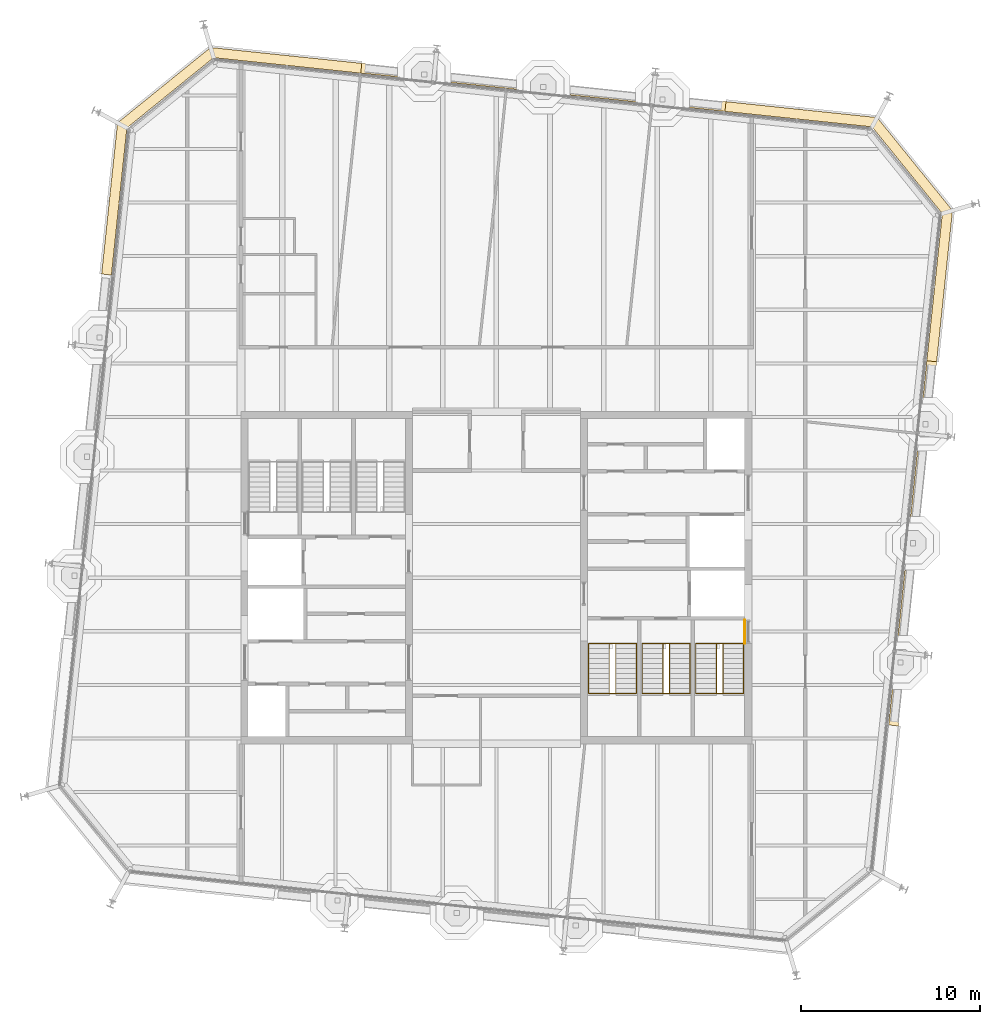
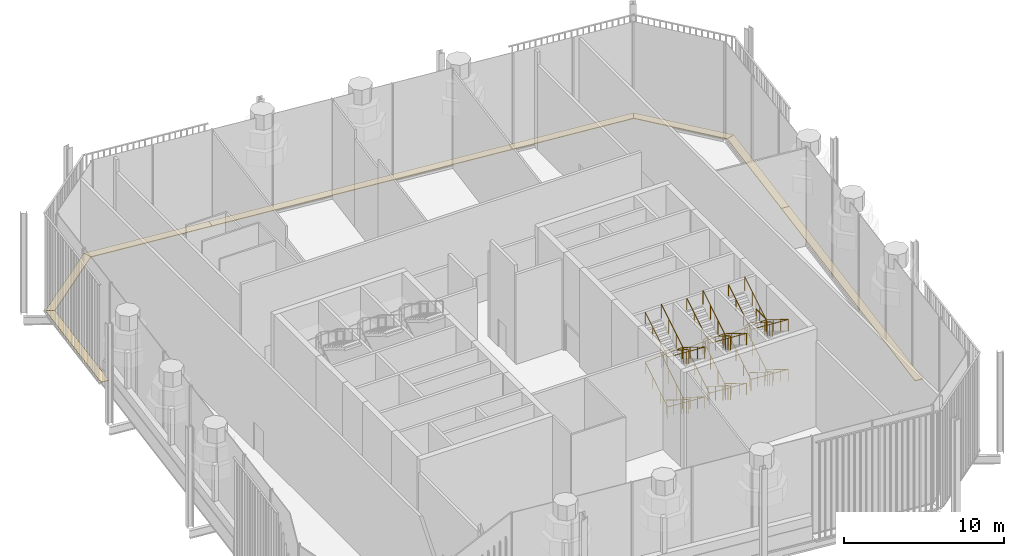
# One storey, part 16 of 17: 8 coverings, 7 railings.
"""IFC4 building model written with IfcOpenShell, lengths in metres."""

from ifc_helpers import new_model, si_unit, direction, frame, origin, origin_2d, place, context, subcontext, project, spatial, polyline, circle, outline, extrude, material, layer, layer_set, type_object, element, save


model = new_model("IFC4")

# Units and contexts
model_context = context("Model", 3, precision=1e-05, world=origin(), true_north=direction((0.0, 1.0)))
body_context = subcontext(model_context, "Body", "Model", "MODEL_VIEW")
ifc_project = project(units=[si_unit("LENGTHUNIT", "METRE"), si_unit("AREAUNIT", "SQUARE_METRE"), si_unit("VOLUMEUNIT", "CUBIC_METRE"), si_unit("PLANEANGLEUNIT", "RADIAN"), si_unit("MASSUNIT", "GRAM", prefix="KILO")], contexts=[model_context])

# Site, building, storey
site_placement = place(None, origin())
site = spatial("IfcSite", under=ifc_project, at=site_placement, CompositionType="ELEMENT")
building_placement = place(site_placement, origin())
building = spatial("IfcBuilding", under=site, at=building_placement, Name="Millrace Tower", CompositionType="ELEMENT")
storey_placement = place(building_placement, frame((0.0, 0.0, 311.10009765625)))
storey = spatial("IfcBuildingStorey", under=building, at=storey_placement, Name="L72", CompositionType="ELEMENT", Elevation=311.10009765625)

# Coverings
ifc_material_1 = material(Name="Steel ASTM A36", Category="steel")
ifc_layer = layer(ifc_material_1, 0.050048828125)
ifc_layer_set = layer_set([ifc_layer], Name="Steel ASTM A36")
covering_type = type_object("IfcCoveringType", Name="CAVITY CATWALK steel grating", PredefinedType="FLOORING", material=ifc_layer_set)
placement = place(storey_placement, frame((0.0, 0.0, 0.099853515625)))
element("IfcCovering", 1, at=placement, inside=storey, type_object=covering_type, Name="Cavity catwalk grating E-F04 L72 2", PredefinedType="FLOORING", context=body_context, shape_type="SweptSolid", body=[
    extrude(outline(polyline([(22.499755859375, -8.30029296875), (24.642578125, 12.08740234375), (24.095703125, 12.14501953125), (21.952880859375, -8.24267578125), (22.499755859375, -8.30029296875)])), origin(), (0.0, 0.0, 1.0), 0.050048828125),
])
element("IfcCovering", 2, at=placement, inside=storey, type_object=covering_type, Name="Cavity catwalk grating E-F04 L72 3", PredefinedType="FLOORING", context=body_context, shape_type="SweptSolid", body=[
    extrude(outline(polyline([(24.642578125, 12.08740234375), (25.5322265625, 20.551513671875), (24.96142578125, 20.38232421875), (24.095703125, 12.14501953125), (24.642578125, 12.08740234375)])), origin(), (0.0, 0.0, 1.0), 0.050048828125),
])
element("IfcCovering", 3, at=placement, inside=storey, type_object=covering_type, Name="Cavity catwalk grating E-F05 L72 1", PredefinedType="FLOORING", context=body_context, shape_type="SweptSolid", body=[
    extrude(outline(polyline([(25.5322265625, 20.551513671875), (21.314208984375, 25.76025390625), (21.0302734375, 25.237060546875), (24.96142578125, 20.38232421875), (25.5322265625, 20.551513671875)])), origin(), (0.0, 0.0, 1.0), 0.050048828125),
])
element("IfcCovering", 4, at=placement, inside=storey, type_object=covering_type, Name="Cavity catwalk grating E-F06 L72 1", PredefinedType="FLOORING", context=body_context, shape_type="SweptSolid", body=[
    extrude(outline(polyline([(21.314208984375, 25.76025390625), (12.850341796875, 26.64990234375), (12.792724609375, 26.102783203125), (21.0302734375, 25.237060546875), (21.314208984375, 25.76025390625)])), origin(), (0.0, 0.0, 1.0), 0.050048828125),
])
element("IfcCovering", 5, at=placement, inside=storey, type_object=covering_type, Name="Cavity catwalk grating E-F06 L72 2", PredefinedType="FLOORING", context=body_context, shape_type="SweptSolid", body=[
    extrude(outline(polyline([(12.850341796875, 26.64990234375), (-7.537353515625, 28.792724609375), (-7.594970703125, 28.24560546875), (12.792724609375, 26.102783203125), (12.850341796875, 26.64990234375)])), origin(), (0.0, 0.0, 1.0), 0.050048828125),
])
element("IfcCovering", 6, at=placement, inside=storey, type_object=covering_type, Name="Cavity catwalk grating E-F06 L72 3", PredefinedType="FLOORING", context=body_context, shape_type="SweptSolid", body=[
    extrude(outline(polyline([(-7.537353515625, 28.792724609375), (-16.00146484375, 29.682373046875), (-15.832275390625, 29.111572265625), (-7.594970703125, 28.24560546875), (-7.537353515625, 28.792724609375)])), origin(), (0.0, 0.0, 1.0), 0.050048828125),
])
element("IfcCovering", 7, at=placement, inside=storey, type_object=covering_type, Name="Cavity catwalk grating E-F07 L72 1", PredefinedType="FLOORING", context=body_context, shape_type="SweptSolid", body=[
    extrude(outline(polyline([(-16.00146484375, 29.682373046875), (-21.210205078125, 25.46435546875), (-20.68701171875, 25.18017578125), (-15.832275390625, 29.111572265625), (-16.00146484375, 29.682373046875)])), origin(), (0.0, 0.0, 1.0), 0.050048828125),
])
element("IfcCovering", 8, at=placement, inside=storey, type_object=covering_type, Name="Cavity catwalk grating E-F08 L72 1", PredefinedType="FLOORING", context=body_context, shape_type="SweptSolid", body=[
    extrude(outline(polyline([(-21.210205078125, 25.46435546875), (-22.099853515625, 17.000244140625), (-21.552978515625, 16.94287109375), (-20.68701171875, 25.18017578125), (-21.210205078125, 25.46435546875)])), origin(), (0.0, 0.0, 1.0), 0.050048828125),
])

# Railings
ifc_material_2 = material(Name="Stainless steel ASTM A240 type 316", Category="steel")
railing_type_1 = type_object("IfcRailingType", Name="Stair guard 1100", PredefinedType="GUARDRAIL", material=ifc_material_2)
railing_1_placement = place(storey_placement, frame((12.679931640625, -3.679931640625, 0.172607421875)))
element("IfcRailing", 9, at=railing_1_placement, inside=storey, type_object=railing_type_1, Name="Stair guard 1 E L72", PredefinedType="GUARDRAIL", context=body_context, shape_type="SweptSolid", body=[
    extrude(circle(Radius=0.02392578125, at=origin_2d()), frame((0.0, 0.0, 1.076171875), z_axis=(0.0, -0.851089632645, 0.525020415988), x_axis=(1.0, 0.0, 0.0)), (0.0, 0.0, 1.0), 3.2900390625),
    extrude(circle(Radius=0.02392578125, at=origin_2d()), frame((0.0, -2.800048828125, 2.80322265625), z_axis=(-0.901647110569, 0.0, 0.432472528611), x_axis=(0.0, -1.0, 0.0)), (0.0, 0.0, 1.0), 0.399169921875),
    extrude(circle(Radius=0.02392578125, at=origin_2d()), frame((-0.35986328125, -2.800048828125, 2.97607421875), z_axis=(0.0, 0.851089632645, 0.525020415988), x_axis=(-1.0, 0.0, 0.0)), (0.0, 0.0, 1.0), 3.2900390625),
    extrude(circle(Radius=0.02392578125, at=origin_2d()), frame((-0.35986328125, 0.0, 4.703125), z_axis=(0.901408511443, 0.0, 0.432969624221), x_axis=(0.0, 1.0, 0.0)), (0.0, 0.0, 1.0), 0.399169921875),
    extrude(circle(Radius=0.02392578125, at=origin_2d()), frame((0.0, 0.0, 4.8759765625), z_axis=(0.0, -0.851089632645, 0.525020415988), x_axis=(1.0, 0.0, 0.0)), (0.0, 0.0, 1.0), 3.2900390625),
    extrude(circle(Radius=0.02392578125, at=origin_2d()), frame((0.0, -2.800048828125, 6.603515625), z_axis=(-0.901647110569, 0.0, 0.432472528611), x_axis=(0.0, -1.0, 0.0)), (0.0, 0.0, 1.0), 0.399169921875),
    extrude(circle(Radius=0.02392578125, at=origin_2d()), frame((-0.35986328125, -2.800048828125, 6.77587890625), z_axis=(0.0, 0.851089632645, 0.525020415988), x_axis=(-1.0, 0.0, 0.0)), (0.0, 0.0, 1.0), 3.2900390625),
    extrude(circle(Radius=0.02099609375, at=origin_2d()), origin(), (0.0, 0.0, 1.0), 1.052001953125),
    extrude(circle(Radius=0.02099609375, at=origin_2d()), frame((0.0, -0.933349609375, 0.57568359375)), (0.0, 0.0, 1.0), 1.052001953125),
    extrude(circle(Radius=0.02099609375, at=origin_2d()), frame((0.0, -1.86669921875, 1.151611328125)), (0.0, 0.0, 1.0), 1.052001953125),
    extrude(circle(Radius=0.02099609375, at=origin_2d()), frame((0.0, -2.800048828125, 1.727294921875)), (0.0, 0.0, 1.0), 1.052001953125),
    extrude(circle(Radius=0.02099609375, at=origin_2d()), frame((-0.35986328125, -2.800048828125, 1.89990234375)), (0.0, 0.0, 1.0), 1.052001953125),
    extrude(circle(Radius=0.02099609375, at=origin_2d()), frame((-0.35986328125, -1.86669921875, 2.4755859375)), (0.0, 0.0, 1.0), 1.052001953125),
    extrude(circle(Radius=0.02099609375, at=origin_2d()), frame((-0.35986328125, -0.933349609375, 3.051513671875)), (0.0, 0.0, 1.0), 1.052001953125),
    extrude(circle(Radius=0.02099609375, at=origin_2d()), frame((-0.35986328125, 0.0, 3.627197265625)), (0.0, 0.0, 1.0), 1.052001953125),
    extrude(circle(Radius=0.02099609375, at=origin_2d()), frame((0.0, 0.0, 3.800048828125)), (0.0, 0.0, 1.0), 1.052001953125),
    extrude(circle(Radius=0.02099609375, at=origin_2d()), frame((0.0, -0.933349609375, 4.375732421875)), (0.0, 0.0, 1.0), 1.052001953125),
    extrude(circle(Radius=0.02099609375, at=origin_2d()), frame((0.0, -1.86669921875, 4.95166015625)), (0.0, 0.0, 1.0), 1.052001953125),
    extrude(circle(Radius=0.02099609375, at=origin_2d()), frame((0.0, -2.800048828125, 5.52734375)), (0.0, 0.0, 1.0), 1.052001953125),
    extrude(circle(Radius=0.02099609375, at=origin_2d()), frame((-0.35986328125, -2.800048828125, 5.699951171875)), (0.0, 0.0, 1.0), 1.052001953125),
    extrude(circle(Radius=0.02099609375, at=origin_2d()), frame((-0.35986328125, -1.86669921875, 6.275634765625)), (0.0, 0.0, 1.0), 1.052001953125),
    extrude(circle(Radius=0.02099609375, at=origin_2d()), frame((-0.35986328125, -0.933349609375, 6.8515625)), (0.0, 0.0, 1.0), 1.052001953125),
    extrude(circle(Radius=0.02099609375, at=origin_2d()), frame((-0.35986328125, 0.0, 7.42724609375)), (0.0, 0.0, 1.0), 1.052001953125),
])
railing_2_placement = place(storey_placement, frame((13.89990234375, -3.679931640625, 3.7998046875)))
element("IfcRailing", 10, at=railing_2_placement, inside=storey, type_object=railing_type_1, Name="Stair door landing guard E L72", PredefinedType="GUARDRAIL", context=body_context, shape_type="SweptSolid", body=[
    extrude(circle(Radius=0.02392578125, at=origin_2d()), frame((0.0, 0.0, 1.076171875), z_axis=(0.0, 1.0, 0.0), x_axis=(-1.0, 0.0, 0.0)), (0.0, 0.0, 1.0), 1.300048828125),
    extrude(circle(Radius=0.02099609375, at=origin_2d()), origin(), (0.0, 0.0, 1.0), 1.052001953125),
    extrude(circle(Radius=0.02099609375, at=origin_2d()), frame((0.0, 1.300048828125, 0.0)), (0.0, 0.0, 1.0), 1.052001953125),
])
railing_3_placement = place(storey_placement, frame((9.679931640625, -3.679931640625, 0.172607421875)))
element("IfcRailing", 11, at=railing_3_placement, inside=storey, type_object=railing_type_1, Name="Stair guard 2 E L72", PredefinedType="GUARDRAIL", context=body_context, shape_type="SweptSolid", body=[
    extrude(circle(Radius=0.02392578125, at=origin_2d()), frame((0.0, 0.0, 1.076171875), z_axis=(0.0, -0.851089632645, 0.525020415988), x_axis=(1.0, 0.0, 0.0)), (0.0, 0.0, 1.0), 3.2900390625),
    extrude(circle(Radius=0.02392578125, at=origin_2d()), frame((0.0, -2.800048828125, 2.80322265625), z_axis=(-0.901647110569, 0.0, 0.432472528611), x_axis=(0.0, -1.0, 0.0)), (0.0, 0.0, 1.0), 0.399169921875),
    extrude(circle(Radius=0.02392578125, at=origin_2d()), frame((-0.35986328125, -2.800048828125, 2.97607421875), z_axis=(0.0, 0.851089632645, 0.525020415988), x_axis=(-1.0, 0.0, 0.0)), (0.0, 0.0, 1.0), 3.2900390625),
    extrude(circle(Radius=0.02392578125, at=origin_2d()), frame((-0.35986328125, 0.0, 4.703125), z_axis=(0.901408511443, 0.0, 0.432969624221), x_axis=(0.0, 1.0, 0.0)), (0.0, 0.0, 1.0), 0.399169921875),
    extrude(circle(Radius=0.02392578125, at=origin_2d()), frame((0.0, 0.0, 4.8759765625), z_axis=(0.0, -0.851089632645, 0.525020415988), x_axis=(1.0, 0.0, 0.0)), (0.0, 0.0, 1.0), 3.2900390625),
    extrude(circle(Radius=0.02392578125, at=origin_2d()), frame((0.0, -2.800048828125, 6.603515625), z_axis=(-0.901647110569, 0.0, 0.432472528611), x_axis=(0.0, -1.0, 0.0)), (0.0, 0.0, 1.0), 0.399169921875),
    extrude(circle(Radius=0.02392578125, at=origin_2d()), frame((-0.35986328125, -2.800048828125, 6.77587890625), z_axis=(0.0, 0.851089632645, 0.525020415988), x_axis=(-1.0, 0.0, 0.0)), (0.0, 0.0, 1.0), 3.2900390625),
    extrude(circle(Radius=0.02099609375, at=origin_2d()), origin(), (0.0, 0.0, 1.0), 1.052001953125),
    extrude(circle(Radius=0.02099609375, at=origin_2d()), frame((0.0, -0.933349609375, 0.57568359375)), (0.0, 0.0, 1.0), 1.052001953125),
    extrude(circle(Radius=0.02099609375, at=origin_2d()), frame((0.0, -1.86669921875, 1.151611328125)), (0.0, 0.0, 1.0), 1.052001953125),
    extrude(circle(Radius=0.02099609375, at=origin_2d()), frame((0.0, -2.800048828125, 1.727294921875)), (0.0, 0.0, 1.0), 1.052001953125),
    extrude(circle(Radius=0.02099609375, at=origin_2d()), frame((-0.35986328125, -2.800048828125, 1.89990234375)), (0.0, 0.0, 1.0), 1.052001953125),
    extrude(circle(Radius=0.02099609375, at=origin_2d()), frame((-0.35986328125, -1.86669921875, 2.4755859375)), (0.0, 0.0, 1.0), 1.052001953125),
    extrude(circle(Radius=0.02099609375, at=origin_2d()), frame((-0.35986328125, -0.933349609375, 3.051513671875)), (0.0, 0.0, 1.0), 1.052001953125),
    extrude(circle(Radius=0.02099609375, at=origin_2d()), frame((-0.35986328125, 0.0, 3.627197265625)), (0.0, 0.0, 1.0), 1.052001953125),
    extrude(circle(Radius=0.02099609375, at=origin_2d()), frame((0.0, 0.0, 3.800048828125)), (0.0, 0.0, 1.0), 1.052001953125),
    extrude(circle(Radius=0.02099609375, at=origin_2d()), frame((0.0, -0.933349609375, 4.375732421875)), (0.0, 0.0, 1.0), 1.052001953125),
    extrude(circle(Radius=0.02099609375, at=origin_2d()), frame((0.0, -1.86669921875, 4.95166015625)), (0.0, 0.0, 1.0), 1.052001953125),
    extrude(circle(Radius=0.02099609375, at=origin_2d()), frame((0.0, -2.800048828125, 5.52734375)), (0.0, 0.0, 1.0), 1.052001953125),
    extrude(circle(Radius=0.02099609375, at=origin_2d()), frame((-0.35986328125, -2.800048828125, 5.699951171875)), (0.0, 0.0, 1.0), 1.052001953125),
    extrude(circle(Radius=0.02099609375, at=origin_2d()), frame((-0.35986328125, -1.86669921875, 6.275634765625)), (0.0, 0.0, 1.0), 1.052001953125),
    extrude(circle(Radius=0.02099609375, at=origin_2d()), frame((-0.35986328125, -0.933349609375, 6.8515625)), (0.0, 0.0, 1.0), 1.052001953125),
    extrude(circle(Radius=0.02099609375, at=origin_2d()), frame((-0.35986328125, 0.0, 7.42724609375)), (0.0, 0.0, 1.0), 1.052001953125),
])
railing_4_placement = place(storey_placement, frame((6.679931640625, -3.679931640625, 0.172607421875)))
element("IfcRailing", 12, at=railing_4_placement, inside=storey, type_object=railing_type_1, Name="Stair guard 3 E L72", PredefinedType="GUARDRAIL", context=body_context, shape_type="SweptSolid", body=[
    extrude(circle(Radius=0.02392578125, at=origin_2d()), frame((0.0, 0.0, 1.076171875), z_axis=(0.0, -0.851089632645, 0.525020415988), x_axis=(1.0, 0.0, 0.0)), (0.0, 0.0, 1.0), 3.2900390625),
    extrude(circle(Radius=0.02392578125, at=origin_2d()), frame((0.0, -2.800048828125, 2.80322265625), z_axis=(-0.901647110569, 0.0, 0.432472528611), x_axis=(0.0, -1.0, 0.0)), (0.0, 0.0, 1.0), 0.399169921875),
    extrude(circle(Radius=0.02392578125, at=origin_2d()), frame((-0.35986328125, -2.800048828125, 2.97607421875), z_axis=(0.0, 0.851089632645, 0.525020415988), x_axis=(-1.0, 0.0, 0.0)), (0.0, 0.0, 1.0), 3.2900390625),
    extrude(circle(Radius=0.02392578125, at=origin_2d()), frame((-0.35986328125, 0.0, 4.703125), z_axis=(0.901408511443, 0.0, 0.432969624221), x_axis=(0.0, 1.0, 0.0)), (0.0, 0.0, 1.0), 0.399169921875),
    extrude(circle(Radius=0.02392578125, at=origin_2d()), frame((0.0, 0.0, 4.8759765625), z_axis=(0.0, -0.851089632645, 0.525020415988), x_axis=(1.0, 0.0, 0.0)), (0.0, 0.0, 1.0), 3.2900390625),
    extrude(circle(Radius=0.02392578125, at=origin_2d()), frame((0.0, -2.800048828125, 6.603515625), z_axis=(-0.901647110569, 0.0, 0.432472528611), x_axis=(0.0, -1.0, 0.0)), (0.0, 0.0, 1.0), 0.399169921875),
    extrude(circle(Radius=0.02392578125, at=origin_2d()), frame((-0.35986328125, -2.800048828125, 6.77587890625), z_axis=(0.0, 0.851089632645, 0.525020415988), x_axis=(-1.0, 0.0, 0.0)), (0.0, 0.0, 1.0), 3.2900390625),
    extrude(circle(Radius=0.02099609375, at=origin_2d()), origin(), (0.0, 0.0, 1.0), 1.052001953125),
    extrude(circle(Radius=0.02099609375, at=origin_2d()), frame((0.0, -0.933349609375, 0.57568359375)), (0.0, 0.0, 1.0), 1.052001953125),
    extrude(circle(Radius=0.02099609375, at=origin_2d()), frame((0.0, -1.86669921875, 1.151611328125)), (0.0, 0.0, 1.0), 1.052001953125),
    extrude(circle(Radius=0.02099609375, at=origin_2d()), frame((0.0, -2.800048828125, 1.727294921875)), (0.0, 0.0, 1.0), 1.052001953125),
    extrude(circle(Radius=0.02099609375, at=origin_2d()), frame((-0.35986328125, -2.800048828125, 1.89990234375)), (0.0, 0.0, 1.0), 1.052001953125),
    extrude(circle(Radius=0.02099609375, at=origin_2d()), frame((-0.35986328125, -1.86669921875, 2.4755859375)), (0.0, 0.0, 1.0), 1.052001953125),
    extrude(circle(Radius=0.02099609375, at=origin_2d()), frame((-0.35986328125, -0.933349609375, 3.051513671875)), (0.0, 0.0, 1.0), 1.052001953125),
    extrude(circle(Radius=0.02099609375, at=origin_2d()), frame((-0.35986328125, 0.0, 3.627197265625)), (0.0, 0.0, 1.0), 1.052001953125),
    extrude(circle(Radius=0.02099609375, at=origin_2d()), frame((0.0, 0.0, 3.800048828125)), (0.0, 0.0, 1.0), 1.052001953125),
    extrude(circle(Radius=0.02099609375, at=origin_2d()), frame((0.0, -0.933349609375, 4.375732421875)), (0.0, 0.0, 1.0), 1.052001953125),
    extrude(circle(Radius=0.02099609375, at=origin_2d()), frame((0.0, -1.86669921875, 4.95166015625)), (0.0, 0.0, 1.0), 1.052001953125),
    extrude(circle(Radius=0.02099609375, at=origin_2d()), frame((0.0, -2.800048828125, 5.52734375)), (0.0, 0.0, 1.0), 1.052001953125),
    extrude(circle(Radius=0.02099609375, at=origin_2d()), frame((-0.35986328125, -2.800048828125, 5.699951171875)), (0.0, 0.0, 1.0), 1.052001953125),
    extrude(circle(Radius=0.02099609375, at=origin_2d()), frame((-0.35986328125, -1.86669921875, 6.275634765625)), (0.0, 0.0, 1.0), 1.052001953125),
    extrude(circle(Radius=0.02099609375, at=origin_2d()), frame((-0.35986328125, -0.933349609375, 6.8515625)), (0.0, 0.0, 1.0), 1.052001953125),
    extrude(circle(Radius=0.02099609375, at=origin_2d()), frame((-0.35986328125, 0.0, 7.42724609375)), (0.0, 0.0, 1.0), 1.052001953125),
])
ifc_material_3 = material(Name="Stainless steel ASTM A240 type 316", Category="steel")
railing_type_2 = type_object("IfcRailingType", Name="Stair handrail 900", PredefinedType="HANDRAIL", material=ifc_material_3)
railing_5_placement = place(storey_placement, frame((13.840087890625, -3.679931640625, 0.172607421875)))
element("IfcRailing", 13, at=railing_5_placement, inside=storey, type_object=railing_type_2, Name="Stair handrail 1 E L72", PredefinedType="HANDRAIL", context=body_context, shape_type="SweptSolid", body=[
    extrude(circle(Radius=0.02392578125, at=origin_2d()), frame((0.0, 0.0, 0.8759765625), z_axis=(0.0, -0.851089632645, 0.525020415988), x_axis=(1.0, 0.0, 0.0)), (0.0, 0.0, 1.0), 3.2900390625),
    extrude(circle(Radius=0.02392578125, at=origin_2d()), frame((0.0, -2.800048828125, 2.60302734375), z_axis=(-0.997932650066, 0.0, 0.064268389834), x_axis=(0.0, -1.0, 0.0)), (0.0, 0.0, 1.0), 2.685791015625),
    extrude(circle(Radius=0.02392578125, at=origin_2d()), frame((-2.68017578125, -2.800048828125, 2.77587890625), z_axis=(0.0, 0.851089632645, 0.525020415988), x_axis=(-1.0, 0.0, 0.0)), (0.0, 0.0, 1.0), 3.2900390625),
    extrude(circle(Radius=0.02392578125, at=origin_2d()), frame((-2.68017578125, 0.0, 4.5029296875), z_axis=(0.997926815885, 0.0, 0.064358916528), x_axis=(0.0, 1.0, 0.0)), (0.0, 0.0, 1.0), 2.685791015625),
    extrude(circle(Radius=0.02392578125, at=origin_2d()), frame((0.0, 0.0, 4.67578125), z_axis=(0.0, -0.851089632645, 0.525020415988), x_axis=(1.0, 0.0, 0.0)), (0.0, 0.0, 1.0), 3.2900390625),
    extrude(circle(Radius=0.02392578125, at=origin_2d()), frame((0.0, -2.800048828125, 6.4033203125), z_axis=(-0.997932650066, 0.0, 0.064268389834), x_axis=(0.0, -1.0, 0.0)), (0.0, 0.0, 1.0), 2.685791015625),
    extrude(circle(Radius=0.02392578125, at=origin_2d()), frame((-2.68017578125, -2.800048828125, 6.57568359375), z_axis=(0.0, 0.851089632645, 0.525020415988), x_axis=(-1.0, 0.0, 0.0)), (0.0, 0.0, 1.0), 3.2900390625),
    extrude(circle(Radius=0.02099609375, at=origin_2d()), origin(), (0.0, 0.0, 1.0), 0.851806640625),
    extrude(circle(Radius=0.02099609375, at=origin_2d()), frame((0.0, -0.933349609375, 0.57568359375)), (0.0, 0.0, 1.0), 0.851806640625),
    extrude(circle(Radius=0.02099609375, at=origin_2d()), frame((0.0, -1.86669921875, 1.151611328125)), (0.0, 0.0, 1.0), 0.851806640625),
    extrude(circle(Radius=0.02099609375, at=origin_2d()), frame((0.0, -2.800048828125, 1.727294921875)), (0.0, 0.0, 1.0), 0.851806640625),
    extrude(circle(Radius=0.02099609375, at=origin_2d()), frame((-1.340087890625, -2.800048828125, 1.8134765625)), (0.0, 0.0, 1.0), 0.851806640625),
    extrude(circle(Radius=0.02099609375, at=origin_2d()), frame((-2.68017578125, -2.800048828125, 1.89990234375)), (0.0, 0.0, 1.0), 0.851806640625),
    extrude(circle(Radius=0.02099609375, at=origin_2d()), frame((-2.68017578125, -1.86669921875, 2.4755859375)), (0.0, 0.0, 1.0), 0.851806640625),
    extrude(circle(Radius=0.02099609375, at=origin_2d()), frame((-2.68017578125, -0.933349609375, 3.051513671875)), (0.0, 0.0, 1.0), 0.851806640625),
    extrude(circle(Radius=0.02099609375, at=origin_2d()), frame((-2.68017578125, 0.0, 3.627197265625)), (0.0, 0.0, 1.0), 0.851806640625),
    extrude(circle(Radius=0.02099609375, at=origin_2d()), frame((-1.340087890625, 0.0, 3.713623046875)), (0.0, 0.0, 1.0), 0.851806640625),
    extrude(circle(Radius=0.02099609375, at=origin_2d()), frame((0.0, 0.0, 3.800048828125)), (0.0, 0.0, 1.0), 0.851806640625),
    extrude(circle(Radius=0.02099609375, at=origin_2d()), frame((0.0, -0.933349609375, 4.375732421875)), (0.0, 0.0, 1.0), 0.851806640625),
    extrude(circle(Radius=0.02099609375, at=origin_2d()), frame((0.0, -1.86669921875, 4.95166015625)), (0.0, 0.0, 1.0), 0.851806640625),
    extrude(circle(Radius=0.02099609375, at=origin_2d()), frame((0.0, -2.800048828125, 5.52734375)), (0.0, 0.0, 1.0), 0.851806640625),
    extrude(circle(Radius=0.02099609375, at=origin_2d()), frame((-1.340087890625, -2.800048828125, 5.61376953125)), (0.0, 0.0, 1.0), 0.851806640625),
    extrude(circle(Radius=0.02099609375, at=origin_2d()), frame((-2.68017578125, -2.800048828125, 5.699951171875)), (0.0, 0.0, 1.0), 0.851806640625),
    extrude(circle(Radius=0.02099609375, at=origin_2d()), frame((-2.68017578125, -1.86669921875, 6.275634765625)), (0.0, 0.0, 1.0), 0.851806640625),
    extrude(circle(Radius=0.02099609375, at=origin_2d()), frame((-2.68017578125, -0.933349609375, 6.8515625)), (0.0, 0.0, 1.0), 0.851806640625),
    extrude(circle(Radius=0.02099609375, at=origin_2d()), frame((-2.68017578125, 0.0, 7.42724609375)), (0.0, 0.0, 1.0), 0.851806640625),
])
railing_6_placement = place(storey_placement, frame((10.840087890625, -3.679931640625, 0.172607421875)))
element("IfcRailing", 14, at=railing_6_placement, inside=storey, type_object=railing_type_2, Name="Stair handrail 2 E L72", PredefinedType="HANDRAIL", context=body_context, shape_type="SweptSolid", body=[
    extrude(circle(Radius=0.02392578125, at=origin_2d()), frame((0.0, 0.0, 0.8759765625), z_axis=(0.0, -0.851089632645, 0.525020415988), x_axis=(1.0, 0.0, 0.0)), (0.0, 0.0, 1.0), 3.2900390625),
    extrude(circle(Radius=0.02392578125, at=origin_2d()), frame((0.0, -2.800048828125, 2.60302734375), z_axis=(-0.997932650066, 0.0, 0.064268389834), x_axis=(0.0, -1.0, 0.0)), (0.0, 0.0, 1.0), 2.685791015625),
    extrude(circle(Radius=0.02392578125, at=origin_2d()), frame((-2.68017578125, -2.800048828125, 2.77587890625), z_axis=(0.0, 0.851089632645, 0.525020415988), x_axis=(-1.0, 0.0, 0.0)), (0.0, 0.0, 1.0), 3.2900390625),
    extrude(circle(Radius=0.02392578125, at=origin_2d()), frame((-2.68017578125, 0.0, 4.5029296875), z_axis=(0.997926815885, 0.0, 0.064358916528), x_axis=(0.0, 1.0, 0.0)), (0.0, 0.0, 1.0), 2.685791015625),
    extrude(circle(Radius=0.02392578125, at=origin_2d()), frame((0.0, 0.0, 4.67578125), z_axis=(0.0, -0.851089632645, 0.525020415988), x_axis=(1.0, 0.0, 0.0)), (0.0, 0.0, 1.0), 3.2900390625),
    extrude(circle(Radius=0.02392578125, at=origin_2d()), frame((0.0, -2.800048828125, 6.4033203125), z_axis=(-0.997932650066, 0.0, 0.064268389834), x_axis=(0.0, -1.0, 0.0)), (0.0, 0.0, 1.0), 2.685791015625),
    extrude(circle(Radius=0.02392578125, at=origin_2d()), frame((-2.68017578125, -2.800048828125, 6.57568359375), z_axis=(0.0, 0.851089632645, 0.525020415988), x_axis=(-1.0, 0.0, 0.0)), (0.0, 0.0, 1.0), 3.2900390625),
    extrude(circle(Radius=0.02099609375, at=origin_2d()), origin(), (0.0, 0.0, 1.0), 0.851806640625),
    extrude(circle(Radius=0.02099609375, at=origin_2d()), frame((0.0, -0.933349609375, 0.57568359375)), (0.0, 0.0, 1.0), 0.851806640625),
    extrude(circle(Radius=0.02099609375, at=origin_2d()), frame((0.0, -1.86669921875, 1.151611328125)), (0.0, 0.0, 1.0), 0.851806640625),
    extrude(circle(Radius=0.02099609375, at=origin_2d()), frame((0.0, -2.800048828125, 1.727294921875)), (0.0, 0.0, 1.0), 0.851806640625),
    extrude(circle(Radius=0.02099609375, at=origin_2d()), frame((-1.340087890625, -2.800048828125, 1.8134765625)), (0.0, 0.0, 1.0), 0.851806640625),
    extrude(circle(Radius=0.02099609375, at=origin_2d()), frame((-2.68017578125, -2.800048828125, 1.89990234375)), (0.0, 0.0, 1.0), 0.851806640625),
    extrude(circle(Radius=0.02099609375, at=origin_2d()), frame((-2.68017578125, -1.86669921875, 2.4755859375)), (0.0, 0.0, 1.0), 0.851806640625),
    extrude(circle(Radius=0.02099609375, at=origin_2d()), frame((-2.68017578125, -0.933349609375, 3.051513671875)), (0.0, 0.0, 1.0), 0.851806640625),
    extrude(circle(Radius=0.02099609375, at=origin_2d()), frame((-2.68017578125, 0.0, 3.627197265625)), (0.0, 0.0, 1.0), 0.851806640625),
    extrude(circle(Radius=0.02099609375, at=origin_2d()), frame((-1.340087890625, 0.0, 3.713623046875)), (0.0, 0.0, 1.0), 0.851806640625),
    extrude(circle(Radius=0.02099609375, at=origin_2d()), frame((0.0, 0.0, 3.800048828125)), (0.0, 0.0, 1.0), 0.851806640625),
    extrude(circle(Radius=0.02099609375, at=origin_2d()), frame((0.0, -0.933349609375, 4.375732421875)), (0.0, 0.0, 1.0), 0.851806640625),
    extrude(circle(Radius=0.02099609375, at=origin_2d()), frame((0.0, -1.86669921875, 4.95166015625)), (0.0, 0.0, 1.0), 0.851806640625),
    extrude(circle(Radius=0.02099609375, at=origin_2d()), frame((0.0, -2.800048828125, 5.52734375)), (0.0, 0.0, 1.0), 0.851806640625),
    extrude(circle(Radius=0.02099609375, at=origin_2d()), frame((-1.340087890625, -2.800048828125, 5.61376953125)), (0.0, 0.0, 1.0), 0.851806640625),
    extrude(circle(Radius=0.02099609375, at=origin_2d()), frame((-2.68017578125, -2.800048828125, 5.699951171875)), (0.0, 0.0, 1.0), 0.851806640625),
    extrude(circle(Radius=0.02099609375, at=origin_2d()), frame((-2.68017578125, -1.86669921875, 6.275634765625)), (0.0, 0.0, 1.0), 0.851806640625),
    extrude(circle(Radius=0.02099609375, at=origin_2d()), frame((-2.68017578125, -0.933349609375, 6.8515625)), (0.0, 0.0, 1.0), 0.851806640625),
    extrude(circle(Radius=0.02099609375, at=origin_2d()), frame((-2.68017578125, 0.0, 7.42724609375)), (0.0, 0.0, 1.0), 0.851806640625),
])
railing_7_placement = place(storey_placement, frame((7.840087890625, -3.679931640625, 0.172607421875)))
element("IfcRailing", 15, at=railing_7_placement, inside=storey, type_object=railing_type_2, Name="Stair handrail 3 E L72", PredefinedType="HANDRAIL", context=body_context, shape_type="SweptSolid", body=[
    extrude(circle(Radius=0.02392578125, at=origin_2d()), frame((0.0, 0.0, 0.8759765625), z_axis=(0.0, -0.851089632645, 0.525020415988), x_axis=(1.0, 0.0, 0.0)), (0.0, 0.0, 1.0), 3.2900390625),
    extrude(circle(Radius=0.02392578125, at=origin_2d()), frame((0.0, -2.800048828125, 2.60302734375), z_axis=(-0.997932650066, 0.0, 0.064268389834), x_axis=(0.0, -1.0, 0.0)), (0.0, 0.0, 1.0), 2.685791015625),
    extrude(circle(Radius=0.02392578125, at=origin_2d()), frame((-2.68017578125, -2.800048828125, 2.77587890625), z_axis=(0.0, 0.851089632645, 0.525020415988), x_axis=(-1.0, 0.0, 0.0)), (0.0, 0.0, 1.0), 3.2900390625),
    extrude(circle(Radius=0.02392578125, at=origin_2d()), frame((-2.68017578125, 0.0, 4.5029296875), z_axis=(0.997926815885, 0.0, 0.064358916528), x_axis=(0.0, 1.0, 0.0)), (0.0, 0.0, 1.0), 2.685791015625),
    extrude(circle(Radius=0.02392578125, at=origin_2d()), frame((0.0, 0.0, 4.67578125), z_axis=(0.0, -0.851089632645, 0.525020415988), x_axis=(1.0, 0.0, 0.0)), (0.0, 0.0, 1.0), 3.2900390625),
    extrude(circle(Radius=0.02392578125, at=origin_2d()), frame((0.0, -2.800048828125, 6.4033203125), z_axis=(-0.997932650066, 0.0, 0.064268389834), x_axis=(0.0, -1.0, 0.0)), (0.0, 0.0, 1.0), 2.685791015625),
    extrude(circle(Radius=0.02392578125, at=origin_2d()), frame((-2.68017578125, -2.800048828125, 6.57568359375), z_axis=(0.0, 0.851089632645, 0.525020415988), x_axis=(-1.0, 0.0, 0.0)), (0.0, 0.0, 1.0), 3.2900390625),
    extrude(circle(Radius=0.02099609375, at=origin_2d()), origin(), (0.0, 0.0, 1.0), 0.851806640625),
    extrude(circle(Radius=0.02099609375, at=origin_2d()), frame((0.0, -0.933349609375, 0.57568359375)), (0.0, 0.0, 1.0), 0.851806640625),
    extrude(circle(Radius=0.02099609375, at=origin_2d()), frame((0.0, -1.86669921875, 1.151611328125)), (0.0, 0.0, 1.0), 0.851806640625),
    extrude(circle(Radius=0.02099609375, at=origin_2d()), frame((0.0, -2.800048828125, 1.727294921875)), (0.0, 0.0, 1.0), 0.851806640625),
    extrude(circle(Radius=0.02099609375, at=origin_2d()), frame((-1.340087890625, -2.800048828125, 1.8134765625)), (0.0, 0.0, 1.0), 0.851806640625),
    extrude(circle(Radius=0.02099609375, at=origin_2d()), frame((-2.68017578125, -2.800048828125, 1.89990234375)), (0.0, 0.0, 1.0), 0.851806640625),
    extrude(circle(Radius=0.02099609375, at=origin_2d()), frame((-2.68017578125, -1.86669921875, 2.4755859375)), (0.0, 0.0, 1.0), 0.851806640625),
    extrude(circle(Radius=0.02099609375, at=origin_2d()), frame((-2.68017578125, -0.933349609375, 3.051513671875)), (0.0, 0.0, 1.0), 0.851806640625),
    extrude(circle(Radius=0.02099609375, at=origin_2d()), frame((-2.68017578125, 0.0, 3.627197265625)), (0.0, 0.0, 1.0), 0.851806640625),
    extrude(circle(Radius=0.02099609375, at=origin_2d()), frame((-1.340087890625, 0.0, 3.713623046875)), (0.0, 0.0, 1.0), 0.851806640625),
    extrude(circle(Radius=0.02099609375, at=origin_2d()), frame((0.0, 0.0, 3.800048828125)), (0.0, 0.0, 1.0), 0.851806640625),
    extrude(circle(Radius=0.02099609375, at=origin_2d()), frame((0.0, -0.933349609375, 4.375732421875)), (0.0, 0.0, 1.0), 0.851806640625),
    extrude(circle(Radius=0.02099609375, at=origin_2d()), frame((0.0, -1.86669921875, 4.95166015625)), (0.0, 0.0, 1.0), 0.851806640625),
    extrude(circle(Radius=0.02099609375, at=origin_2d()), frame((0.0, -2.800048828125, 5.52734375)), (0.0, 0.0, 1.0), 0.851806640625),
    extrude(circle(Radius=0.02099609375, at=origin_2d()), frame((-1.340087890625, -2.800048828125, 5.61376953125)), (0.0, 0.0, 1.0), 0.851806640625),
    extrude(circle(Radius=0.02099609375, at=origin_2d()), frame((-2.68017578125, -2.800048828125, 5.699951171875)), (0.0, 0.0, 1.0), 0.851806640625),
    extrude(circle(Radius=0.02099609375, at=origin_2d()), frame((-2.68017578125, -1.86669921875, 6.275634765625)), (0.0, 0.0, 1.0), 0.851806640625),
    extrude(circle(Radius=0.02099609375, at=origin_2d()), frame((-2.68017578125, -0.933349609375, 6.8515625)), (0.0, 0.0, 1.0), 0.851806640625),
    extrude(circle(Radius=0.02099609375, at=origin_2d()), frame((-2.68017578125, 0.0, 7.42724609375)), (0.0, 0.0, 1.0), 0.851806640625),
])

save(model, "model.ifc")
